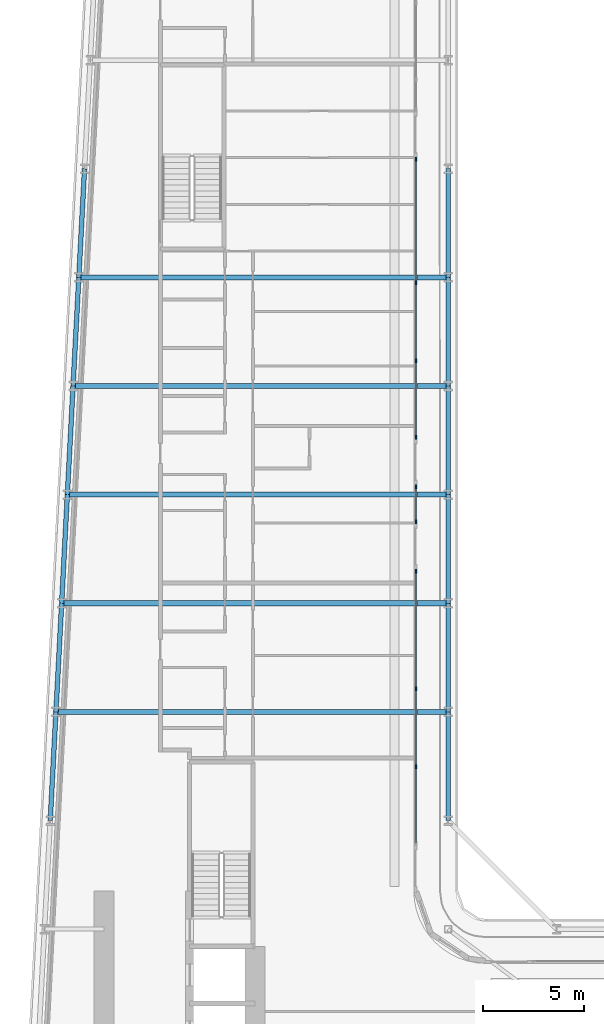
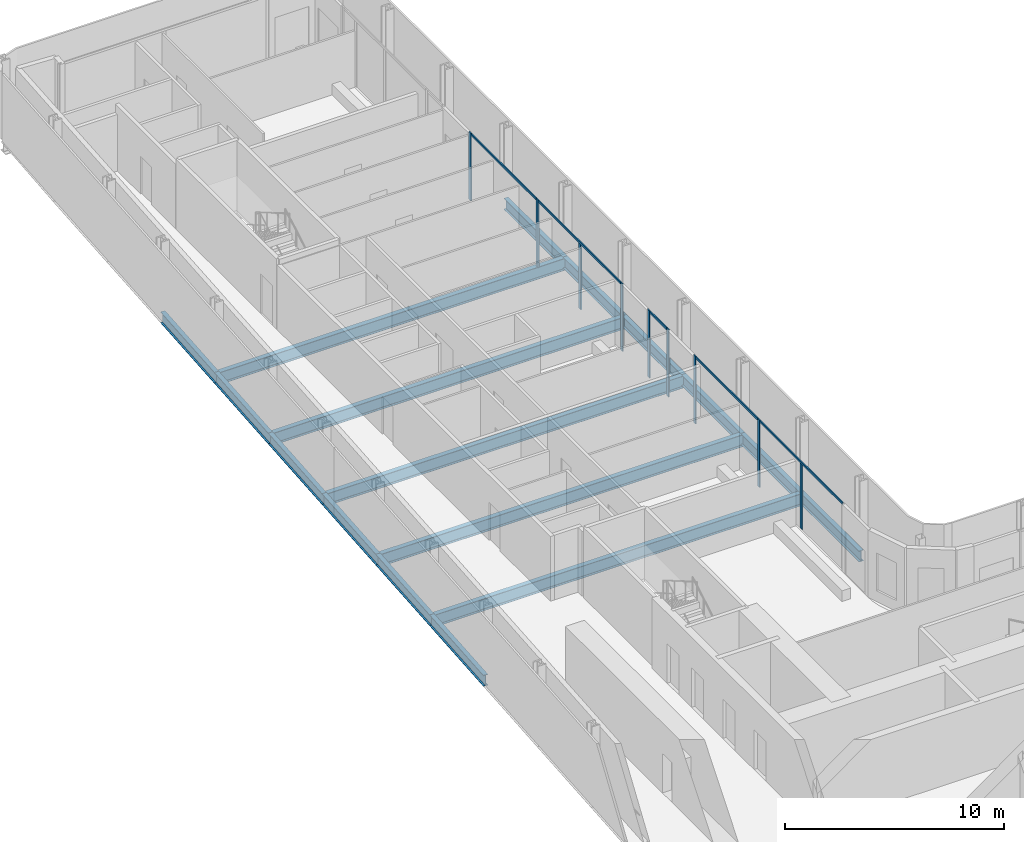
# One storey, part 7 of 28: 17 beams, 14 members, 5 elements without a shape of their own.
"""IFC4 building model written with IfcOpenShell, lengths in metres."""

from ifc_helpers import new_model, si_unit, direction, frame, origin, origin_2d, place, context, subcontext, project, spatial, rectangle, i_section, extrude, material, layer, layer_set, material_profile, profile_set, type_object, element, aggregate, save


model = new_model("IFC4")

# Units and contexts
model_context = context("Model", 3, precision=1e-05, world=origin(), true_north=direction((0.0, 1.0)))
body_context = subcontext(model_context, "Body", "Model", "MODEL_VIEW")
ifc_project = project(units=[si_unit("LENGTHUNIT", "METRE"), si_unit("AREAUNIT", "SQUARE_METRE"), si_unit("VOLUMEUNIT", "CUBIC_METRE"), si_unit("PLANEANGLEUNIT", "RADIAN"), si_unit("MASSUNIT", "GRAM", prefix="KILO")], contexts=[model_context])

# Site, building, storey
site_placement = place(None, origin())
site = spatial("IfcSite", under=ifc_project, at=site_placement, CompositionType="ELEMENT")
building_placement = place(site_placement, origin())
building = spatial("IfcBuilding", under=site, at=building_placement, Name="Kheshtan School and Residences Tower", CompositionType="ELEMENT")
storey_placement = place(building_placement, frame((0.0, 0.0, 42.199951171875)))
storey = spatial("IfcBuildingStorey", under=building, at=storey_placement, Name="L09", CompositionType="ELEMENT", Elevation=42.199951171875)

# Beams
ifc_material_1 = material(Name="Steel ASTM A992 Grade 50", Category="steel")
ifc_material_profile_1 = material_profile(ifc_material_1, i_section(OverallWidth=0.2529296875, OverallDepth=0.677978515625, WebThickness=0.01171875, FlangeThickness=0.016357421875, FilletRadius=0.0146484375, at=origin_2d()), Name="W690x125")
ifc_profile_set_1 = profile_set([ifc_material_profile_1], Name="Steel ASTM A992 Grade 50")
beam_type_1 = type_object("IfcBeamType", Name="Beam FB6 W690x125 ASTM A992 Grade 50", PredefinedType="BEAM", material=ifc_profile_set_1)
beam_1_placement = place(storey_placement, frame((47.60009765625, 72.60009765625, -0.489013671875), z_axis=(-1.0, 0.0, 0.0), x_axis=(0.0, -1.0, 0.0)))
element("IfcBeam", 1, at=beam_1_placement, inside=storey, type_object=beam_type_1, Name="Floor beam C087", PredefinedType="BEAM", context=body_context, shape_type="SweptSolid", body=[
    extrude(i_section(OverallWidth=0.2529296875, OverallDepth=0.677978515625, WebThickness=0.01171875, FlangeThickness=0.016357421875, FilletRadius=0.0146484375, at=origin_2d()), origin(), (0.0, 0.0, 1.0), 18.64208984375),
])
beam_2_placement = place(storey_placement, frame((47.60009765625, 61.800048828125, -0.489013671875), z_axis=(-1.0, 0.0, 0.0), x_axis=(0.0, -1.0, 0.0)))
element("IfcBeam", 2, at=beam_2_placement, inside=storey, type_object=beam_type_1, Name="Floor beam C083", PredefinedType="BEAM", context=body_context, shape_type="SweptSolid", body=[
    extrude(i_section(OverallWidth=0.2529296875, OverallDepth=0.677978515625, WebThickness=0.01171875, FlangeThickness=0.016357421875, FilletRadius=0.0146484375, at=origin_2d()), origin(), (0.0, 0.0, 1.0), 19.210205078125),
])
beam_3_placement = place(storey_placement, frame((28.10595703125, 56.39990234375, -0.489013671875), z_axis=(1.0, 0.0, 0.0), x_axis=(0.0, 1.0, 0.0)))
element("IfcBeam", 3, at=beam_3_placement, inside=storey, type_object=beam_type_1, Name="Floor beam C080", PredefinedType="BEAM", context=body_context, shape_type="SweptSolid", body=[
    extrude(i_section(OverallWidth=0.2529296875, OverallDepth=0.677978515625, WebThickness=0.01171875, FlangeThickness=0.016357421875, FilletRadius=0.0146484375, at=origin_2d()), origin(), (0.0, 0.0, 1.0), 19.494140625),
])
beam_4_placement = place(storey_placement, frame((28.674072265625, 67.199951171875, -0.489013671875), z_axis=(1.0, 0.0, 0.0), x_axis=(0.0, 1.0, 0.0)))
element("IfcBeam", 4, at=beam_4_placement, inside=storey, type_object=beam_type_1, Name="Floor beam C084", PredefinedType="BEAM", context=body_context, shape_type="SweptSolid", body=[
    extrude(i_section(OverallWidth=0.2529296875, OverallDepth=0.677978515625, WebThickness=0.01171875, FlangeThickness=0.016357421875, FilletRadius=0.0146484375, at=origin_2d()), origin(), (0.0, 0.0, 1.0), 18.926025390625),
])
beam_5_placement = place(storey_placement, frame((29.242919921875, 78.0, -0.489013671875), z_axis=(1.0, 0.0, 0.0), x_axis=(0.0, 1.0, 0.0)))
element("IfcBeam", 5, at=beam_5_placement, inside=storey, type_object=beam_type_1, Name="Floor beam C088", PredefinedType="BEAM", context=body_context, shape_type="SweptSolid", body=[
    extrude(i_section(OverallWidth=0.2529296875, OverallDepth=0.677978515625, WebThickness=0.01171875, FlangeThickness=0.016357421875, FilletRadius=0.0146484375, at=origin_2d()), origin(), (0.0, 0.0, 1.0), 18.357177734375),
])
ifc_material_profile_2 = material_profile(ifc_material_1, i_section(OverallWidth=0.22998046875, OverallDepth=0.616943359375, WebThickness=0.01318359375, FlangeThickness=0.022216796875, FilletRadius=0.0185546875, at=origin_2d()), Name="W610x140")
ifc_profile_set_2 = profile_set([ifc_material_profile_2], Name="Steel ASTM A992 Grade 50")
beam_type_2 = type_object("IfcBeamType", Name="Beam SP1 W610x140 ASTM A992 Grade 50", PredefinedType="BEAM", material=ifc_profile_set_2)
for number, where, z_axis, x_axis, name in (
    (6, (47.60009765625, 83.39990234375, -0.45849609375), (0.0, -1.0, 0.0), (1.0, 0.0, 0.0), "Spandrel beam C091-C089"),
    (7, (47.60009765625, 78.0, -0.45849609375), (0.0, -1.0, 0.0), (1.0, 0.0, 0.0), "Spandrel beam C089-C087"),
):
    element("IfcBeam", number, at=place(storey_placement, frame(where, z_axis=z_axis, x_axis=x_axis)), inside=storey, type_object=beam_type_2, Name=name, PredefinedType="BEAM", context=body_context, shape_type="SweptSolid", body=[
        extrude(i_section(OverallWidth=0.22998046875, OverallDepth=0.616943359375, WebThickness=0.01318359375, FlangeThickness=0.022216796875, FilletRadius=0.0185546875, at=origin_2d()), origin(), (0.0, 0.0, 1.0), 5.39990234375),
    ])
beam_6_placement = place(storey_placement, frame((47.60009765625, 72.60009765625, -0.45849609375), z_axis=(0.0, -1.0, 0.0), x_axis=(1.0, 0.0, 0.0)))
element("IfcBeam", 8, at=beam_6_placement, inside=storey, type_object=beam_type_2, Name="Spandrel beam C087-C085", PredefinedType="BEAM", context=body_context, shape_type="SweptSolid", body=[
    extrude(i_section(OverallWidth=0.22998046875, OverallDepth=0.616943359375, WebThickness=0.01318359375, FlangeThickness=0.022216796875, FilletRadius=0.0185546875, at=origin_2d()), origin(), (0.0, 0.0, 1.0), 5.400146484375),
])
beam_7_placement = place(storey_placement, frame((47.60009765625, 67.199951171875, -0.45849609375), z_axis=(0.0, -1.0, 0.0), x_axis=(1.0, 0.0, 0.0)))
element("IfcBeam", 9, at=beam_7_placement, inside=storey, type_object=beam_type_2, Name="Spandrel beam C085-C083", PredefinedType="BEAM", context=body_context, shape_type="SweptSolid", body=[
    extrude(i_section(OverallWidth=0.22998046875, OverallDepth=0.616943359375, WebThickness=0.01318359375, FlangeThickness=0.022216796875, FilletRadius=0.0185546875, at=origin_2d()), origin(), (0.0, 0.0, 1.0), 5.39990234375),
])
beam_8_placement = place(storey_placement, frame((47.60009765625, 61.800048828125, -0.45849609375), z_axis=(0.0, -1.0, 0.0), x_axis=(1.0, 0.0, 0.0)))
element("IfcBeam", 10, at=beam_8_placement, inside=storey, type_object=beam_type_2, Name="Spandrel beam C083-C081", PredefinedType="BEAM", context=body_context, shape_type="SweptSolid", body=[
    extrude(i_section(OverallWidth=0.22998046875, OverallDepth=0.616943359375, WebThickness=0.01318359375, FlangeThickness=0.022216796875, FilletRadius=0.0185546875, at=origin_2d()), origin(), (0.0, 0.0, 1.0), 5.400146484375),
])
beam_9_placement = place(storey_placement, frame((47.60009765625, 56.39990234375, -0.45849609375), z_axis=(0.0, -1.0, 0.0), x_axis=(1.0, 0.0, 0.0)))
element("IfcBeam", 11, at=beam_9_placement, inside=storey, type_object=beam_type_2, Name="Spandrel beam C081-C079", PredefinedType="BEAM", context=body_context, shape_type="SweptSolid", body=[
    extrude(i_section(OverallWidth=0.22998046875, OverallDepth=0.616943359375, WebThickness=0.01318359375, FlangeThickness=0.022216796875, FilletRadius=0.0185546875, at=origin_2d()), origin(), (0.0, 0.0, 1.0), 5.39990234375),
])
beam_10_placement = place(storey_placement, frame((27.822021484375, 51.0, -0.45849609375), z_axis=(0.05250906864, 0.998620447272, 0.0), x_axis=(-0.998620447272, 0.05250906864, 0.0)))
element("IfcBeam", 12, at=beam_10_placement, inside=storey, type_object=beam_type_2, Name="Spandrel beam C078-C080", PredefinedType="BEAM", context=body_context, shape_type="SweptSolid", body=[
    extrude(i_section(OverallWidth=0.22998046875, OverallDepth=0.616943359375, WebThickness=0.01318359375, FlangeThickness=0.022216796875, FilletRadius=0.0185546875, at=origin_2d()), origin(), (0.0, 0.0, 1.0), 5.407470703125),
])
beam_11_placement = place(storey_placement, frame((28.10595703125, 56.39990234375, -0.45849609375), z_axis=(0.05250670125, 0.998620571751, 0.0), x_axis=(-0.998620571751, 0.05250670125, 0.0)))
element("IfcBeam", 13, at=beam_11_placement, inside=storey, type_object=beam_type_2, Name="Spandrel beam C080-C082", PredefinedType="BEAM", context=body_context, shape_type="SweptSolid", body=[
    extrude(i_section(OverallWidth=0.22998046875, OverallDepth=0.616943359375, WebThickness=0.01318359375, FlangeThickness=0.022216796875, FilletRadius=0.0185546875, at=origin_2d()), origin(), (0.0, 0.0, 1.0), 5.40771484375),
])
beam_12_placement = place(storey_placement, frame((28.389892578125, 61.800048828125, -0.45849609375), z_axis=(0.052554093665, 0.998618078766, 0.0), x_axis=(-0.998618078766, 0.052554093665, 0.0)))
element("IfcBeam", 14, at=beam_12_placement, inside=storey, type_object=beam_type_2, Name="Spandrel beam C082-C084", PredefinedType="BEAM", context=body_context, shape_type="SweptSolid", body=[
    extrude(i_section(OverallWidth=0.22998046875, OverallDepth=0.616943359375, WebThickness=0.01318359375, FlangeThickness=0.022216796875, FilletRadius=0.0185546875, at=origin_2d()), origin(), (0.0, 0.0, 1.0), 5.407470703125),
])
beam_13_placement = place(storey_placement, frame((28.674072265625, 67.199951171875, -0.45849609375), z_axis=(0.05250670125, 0.998620571751, 0.0), x_axis=(-0.998620571751, 0.05250670125, 0.0)))
element("IfcBeam", 15, at=beam_13_placement, inside=storey, type_object=beam_type_2, Name="Spandrel beam C084-C086", PredefinedType="BEAM", context=body_context, shape_type="SweptSolid", body=[
    extrude(i_section(OverallWidth=0.22998046875, OverallDepth=0.616943359375, WebThickness=0.01318359375, FlangeThickness=0.022216796875, FilletRadius=0.0185546875, at=origin_2d()), origin(), (0.0, 0.0, 1.0), 5.40771484375),
])
for number, where, z_axis, x_axis, name in (
    (16, (28.9580078125, 72.60009765625, -0.45849609375), (0.052689166816, 0.998610961136, 0.0), (-0.998610961136, 0.052689166816, 0.0), "Spandrel beam C086-C088"),
    (17, (29.242919921875, 78.0, -0.45849609375), (0.052554093665, 0.998618078766, 0.0), (-0.998618078766, 0.052554093665, 0.0), "Spandrel beam C088-C090"),
):
    element("IfcBeam", number, at=place(storey_placement, frame(where, z_axis=z_axis, x_axis=x_axis)), inside=storey, type_object=beam_type_2, Name=name, PredefinedType="BEAM", context=body_context, shape_type="SweptSolid", body=[
        extrude(i_section(OverallWidth=0.22998046875, OverallDepth=0.616943359375, WebThickness=0.01318359375, FlangeThickness=0.022216796875, FilletRadius=0.0185546875, at=origin_2d()), origin(), (0.0, 0.0, 1.0), 5.407470703125),
    ])

# Curtain wall, members
ifc_material_2 = material(Name="Clear low-e glass in thermally broken aluminium frame", Category="aluminium")
ifc_layer = layer(ifc_material_2, 0.199951171875)
ifc_layer_set = layer_set([ifc_layer], Name="Curtain wall CW-L")
curtain_wall_type = type_object("IfcCurtainWallType", Name="Curtain wall CW-L", PredefinedType="NOTDEFINED", material=ifc_layer_set)
curtain_wall_1_placement = place(storey_placement, origin())
curtain_wall_1 = element("IfcCurtainWall", 18, at=curtain_wall_1_placement, inside=storey, type_object=curtain_wall_type, Name="Curtain wall CWL8d", PredefinedType="NOTDEFINED")
ifc_material_3 = material(Name="Thermally broken aluminium, dark bronze anodised", Category="aluminium")
ifc_material_profile_3 = material_profile(ifc_material_3, rectangle(XDim=0.06005859375, YDim=0.199951171875, at=origin_2d()), Name="CW-L mullion 60x200")
ifc_profile_set_3 = profile_set([ifc_material_profile_3], Name="Thermally broken aluminium, dark bronze anodised")
member_type_1 = type_object("IfcMemberType", Name="CW-L mullion 60x200", PredefinedType="MULLION", material=ifc_profile_set_3)
member_1_placement = place(storey_placement, frame((46.0, 83.8759765625, 0.0), z_axis=(0.0, 0.0, 1.0), x_axis=(1.0, 0.0, 0.0)))
member_1 = element("IfcMember", 19, at=member_1_placement, type_object=member_type_1, Name="CWL8d mullion 1", PredefinedType="MULLION", context=body_context, shape_type="SweptSolid", body=[
    extrude(rectangle(XDim=0.06005859375, YDim=0.199951171875, at=origin_2d()), origin(), (0.0, 0.0, 1.0), 3.75),
])
member_2_placement = place(storey_placement, frame((46.0, 77.741943359375, 0.0), z_axis=(0.0, 0.0, 1.0), x_axis=(1.0, 0.0, 0.0)))
member_2 = element("IfcMember", 20, at=member_2_placement, type_object=member_type_1, Name="CWL8d mullion 2", PredefinedType="MULLION", context=body_context, shape_type="SweptSolid", body=[
    extrude(rectangle(XDim=0.06005859375, YDim=0.199951171875, at=origin_2d()), origin(), (0.0, 0.0, 1.0), 3.75),
])

curtain_wall_2_placement = place(storey_placement, origin())
curtain_wall_2 = element("IfcCurtainWall", 21, at=curtain_wall_2_placement, inside=storey, type_object=curtain_wall_type, Name="Curtain wall CWL8", PredefinedType="NOTDEFINED")
member_3_placement = place(storey_placement, frame((46.0, 73.864990234375, 0.0), z_axis=(0.0, 0.0, 1.0), x_axis=(1.0, 0.0, 0.0)))
member_3 = element("IfcMember", 22, at=member_3_placement, type_object=member_type_1, Name="CWL8 mullion 2", PredefinedType="MULLION", context=body_context, shape_type="SweptSolid", body=[
    extrude(rectangle(XDim=0.06005859375, YDim=0.199951171875, at=origin_2d()), origin(), (0.0, 0.0, 1.0), 3.630126953125),
])
member_4_placement = place(storey_placement, frame((46.0, 70.048095703125, 0.0), z_axis=(0.0, 0.0, 1.0), x_axis=(1.0, 0.0, 0.0)))
member_4 = element("IfcMember", 23, at=member_4_placement, type_object=member_type_1, Name="CWL8 mullion 3", PredefinedType="MULLION", context=body_context, shape_type="SweptSolid", body=[
    extrude(rectangle(XDim=0.06005859375, YDim=0.199951171875, at=origin_2d()), origin(), (0.0, 0.0, 1.0), 3.75),
])

curtain_wall_3_placement = place(storey_placement, origin())
curtain_wall_3 = element("IfcCurtainWall", 24, at=curtain_wall_3_placement, inside=storey, type_object=curtain_wall_type, Name="Curtain wall CWL8e", PredefinedType="NOTDEFINED")
member_5_placement = place(storey_placement, frame((46.0, 67.587890625, 0.0), z_axis=(0.0, 0.0, 1.0), x_axis=(1.0, 0.0, 0.0)))
member_5 = element("IfcMember", 25, at=member_5_placement, type_object=member_type_1, Name="CWL8e mullion 1", PredefinedType="MULLION", context=body_context, shape_type="SweptSolid", body=[
    extrude(rectangle(XDim=0.06005859375, YDim=0.199951171875, at=origin_2d()), origin(), (0.0, 0.0, 1.0), 3.75),
])
member_6_placement = place(storey_placement, frame((46.0, 65.847900390625, 0.0), z_axis=(0.0, 0.0, 1.0), x_axis=(1.0, 0.0, 0.0)))
member_6 = element("IfcMember", 26, at=member_6_placement, type_object=member_type_1, Name="CWL8e mullion 2", PredefinedType="MULLION", context=body_context, shape_type="SweptSolid", body=[
    extrude(rectangle(XDim=0.06005859375, YDim=0.199951171875, at=origin_2d()), origin(), (0.0, 0.0, 1.0), 3.75),
])

curtain_wall_4_placement = place(storey_placement, origin())
curtain_wall_4 = element("IfcCurtainWall", 27, at=curtain_wall_4_placement, inside=storey, type_object=curtain_wall_type, Name="Curtain wall CWL8f", PredefinedType="NOTDEFINED")
member_7_placement = place(storey_placement, frame((46.0, 63.387939453125, 0.0), z_axis=(0.0, 0.0, 1.0), x_axis=(1.0, 0.0, 0.0)))
member_7 = element("IfcMember", 28, at=member_7_placement, type_object=member_type_1, Name="CWL8f mullion 1", PredefinedType="MULLION", context=body_context, shape_type="SweptSolid", body=[
    extrude(rectangle(XDim=0.06005859375, YDim=0.199951171875, at=origin_2d()), origin(), (0.0, 0.0, 1.0), 3.75),
])
member_8_placement = place(storey_placement, frame((46.0, 57.553955078125, 0.0), z_axis=(0.0, 0.0, 1.0), x_axis=(1.0, 0.0, 0.0)))
member_8 = element("IfcMember", 29, at=member_8_placement, type_object=member_type_1, Name="CWL8f mullion 2", PredefinedType="MULLION", context=body_context, shape_type="SweptSolid", body=[
    extrude(rectangle(XDim=0.06005859375, YDim=0.199951171875, at=origin_2d()), origin(), (0.0, 0.0, 1.0), 3.75),
])

# Curtain wall, member
curtain_wall_5_placement = place(storey_placement, origin())
curtain_wall_5 = element("IfcCurtainWall", 30, at=curtain_wall_5_placement, inside=storey, type_object=curtain_wall_type, Name="Curtain wall CWL8", PredefinedType="NOTDEFINED")
member_9_placement = place(storey_placement, frame((46.0, 53.677001953125, 0.0), z_axis=(0.0, 0.0, 1.0), x_axis=(1.0, 0.0, 0.0)))
member_9 = element("IfcMember", 31, at=member_9_placement, type_object=member_type_1, Name="CWL8 mullion 2", PredefinedType="MULLION", context=body_context, shape_type="SweptSolid", body=[
    extrude(rectangle(XDim=0.06005859375, YDim=0.199951171875, at=origin_2d()), origin(), (0.0, 0.0, 1.0), 3.630126953125),
])

# Member
ifc_material_profile_4 = material_profile(ifc_material_3, rectangle(XDim=0.06005859375, YDim=0.1201171875, at=origin_2d()), Name="CW-L transom 60x120")
ifc_profile_set_4 = profile_set([ifc_material_profile_4], Name="Thermally broken aluminium, dark bronze anodised")
member_type_2 = type_object("IfcMemberType", Name="CW-L transom 60x120", PredefinedType="USERDEFINED", material=ifc_profile_set_4)
member_10_placement = place(storey_placement, frame((46.0, 83.845947265625, 3.68994140625), z_axis=(0.0, -1.0, 0.0), x_axis=(1.0, 0.0, 0.0)))
member_10 = element("IfcMember", 32, at=member_10_placement, type_object=member_type_2, Name="CWL8d transom 1", ObjectType="TRANSOM", PredefinedType="USERDEFINED", context=body_context, shape_type="SweptSolid", body=[
    extrude(rectangle(XDim=0.06005859375, YDim=0.1201171875, at=origin_2d()), origin(), (0.0, 0.0, 1.0), 6.073974609375),
])

aggregate(curtain_wall_1, [member_1, member_2, member_10])

member_11_placement = place(storey_placement, frame((46.0, 77.7119140625, 3.68994140625), z_axis=(0.0, -1.0, 0.0), x_axis=(1.0, 0.0, 0.0)))
member_11 = element("IfcMember", 33, at=member_11_placement, type_object=member_type_2, Name="CWL8 transom 1", ObjectType="TRANSOM", PredefinedType="USERDEFINED", context=body_context, shape_type="SweptSolid", body=[
    extrude(rectangle(XDim=0.06005859375, YDim=0.1201171875, at=origin_2d()), origin(), (0.0, 0.0, 1.0), 7.634033203125),
])

aggregate(curtain_wall_2, [member_3, member_4, member_11])

member_12_placement = place(storey_placement, frame((46.0, 67.55810546875, 3.68994140625), z_axis=(0.0, -1.0, 0.0), x_axis=(1.0, 0.0, 0.0)))
member_12 = element("IfcMember", 34, at=member_12_placement, type_object=member_type_2, Name="CWL8e transom 1", ObjectType="TRANSOM", PredefinedType="USERDEFINED", context=body_context, shape_type="SweptSolid", body=[
    extrude(rectangle(XDim=0.06005859375, YDim=0.1201171875, at=origin_2d()), origin(), (0.0, 0.0, 1.0), 1.68017578125),
])

aggregate(curtain_wall_3, [member_5, member_6, member_12])

member_13_placement = place(storey_placement, frame((46.0, 63.35791015625, 3.68994140625), z_axis=(0.0, -1.0, 0.0), x_axis=(1.0, 0.0, 0.0)))
member_13 = element("IfcMember", 35, at=member_13_placement, type_object=member_type_2, Name="CWL8f transom 1", ObjectType="TRANSOM", PredefinedType="USERDEFINED", context=body_context, shape_type="SweptSolid", body=[
    extrude(rectangle(XDim=0.06005859375, YDim=0.1201171875, at=origin_2d()), origin(), (0.0, 0.0, 1.0), 5.77392578125),
])

aggregate(curtain_wall_4, [member_7, member_8, member_13])

member_14_placement = place(storey_placement, frame((46.0, 57.52392578125, 3.68994140625), z_axis=(0.0, -1.0, 0.0), x_axis=(1.0, 0.0, 0.0)))
member_14 = element("IfcMember", 36, at=member_14_placement, type_object=member_type_2, Name="CWL8 transom 1", ObjectType="TRANSOM", PredefinedType="USERDEFINED", context=body_context, shape_type="SweptSolid", body=[
    extrude(rectangle(XDim=0.06005859375, YDim=0.1201171875, at=origin_2d()), origin(), (0.0, 0.0, 1.0), 7.634033203125),
])

aggregate(curtain_wall_5, [member_9, member_14])

save(model, "model.ifc")
